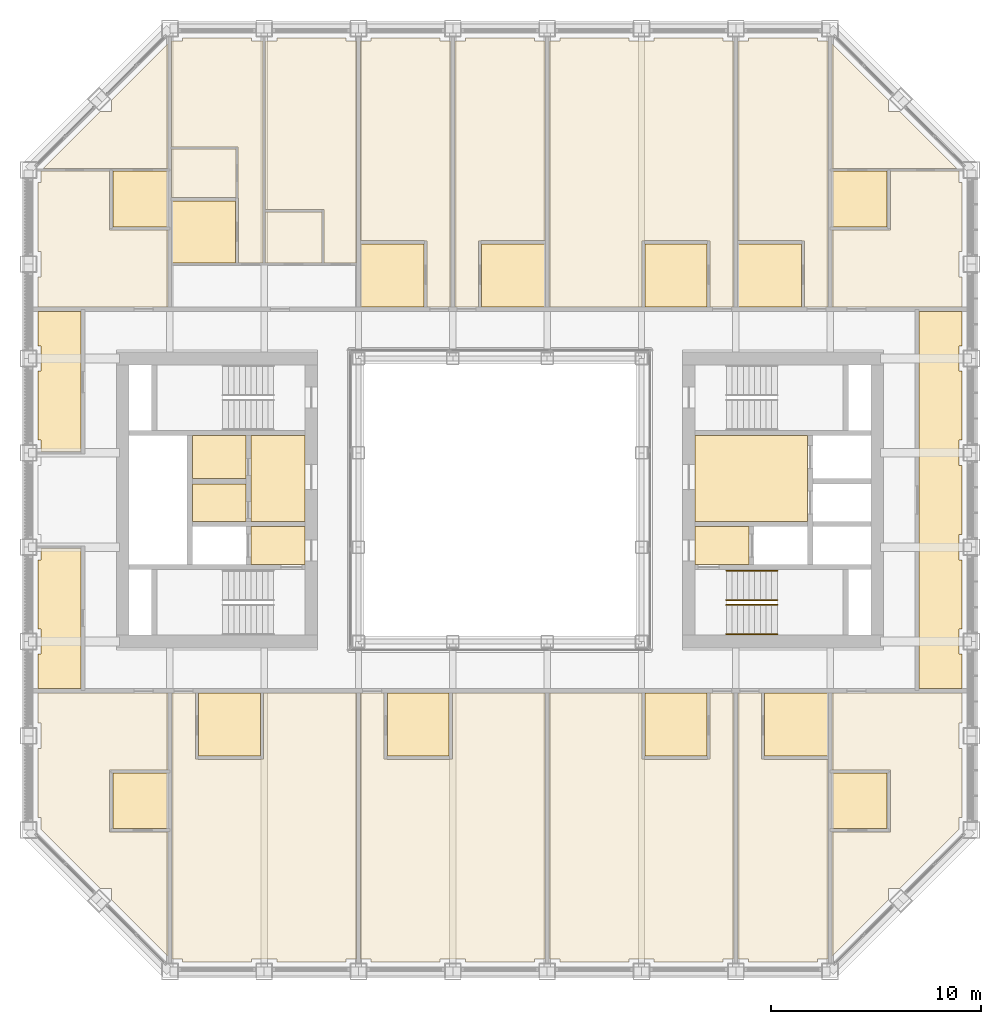
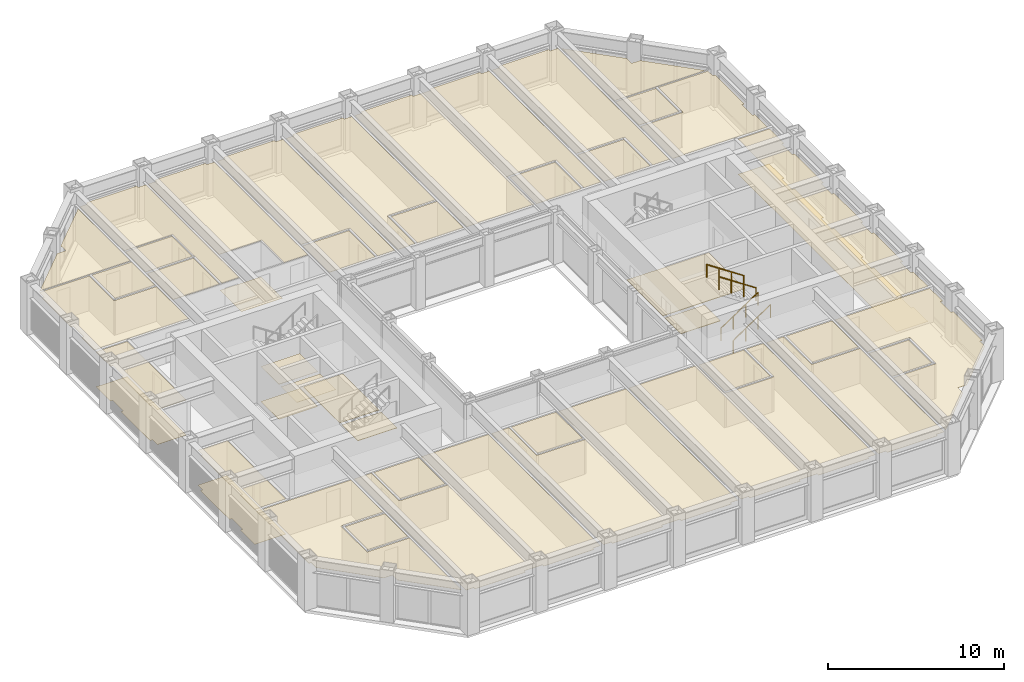
# One storey, part 16 of 17: 5 coverings, 4 railings.
"""IFC4 building model written with IfcOpenShell, lengths in metres."""

from ifc_helpers import new_model, si_unit, direction, frame, origin, origin_2d, place, context, subcontext, project, spatial, line, indexed_curve, circle, outline, extrude, material, layer, layer_set, type_object, element, save


model = new_model("IFC4")

# Units and contexts
model_context = context("Model", 3, precision=1e-05, world=origin(), true_north=direction((0.0, 1.0)))
body_context = subcontext(model_context, "Body", "Model", "MODEL_VIEW")
ifc_project = project(units=[si_unit("LENGTHUNIT", "METRE"), si_unit("AREAUNIT", "SQUARE_METRE"), si_unit("VOLUMEUNIT", "CUBIC_METRE"), si_unit("PLANEANGLEUNIT", "RADIAN"), si_unit("MASSUNIT", "GRAM", prefix="KILO")], contexts=[model_context])

# Site, building, storey
site_placement = place(None, origin())
site = spatial("IfcSite", under=ifc_project, at=site_placement, CompositionType="ELEMENT")
building_placement = place(site_placement, origin())
building = spatial("IfcBuilding", under=site, at=building_placement, Name="Msasa Ring Tower", CompositionType="ELEMENT")
storey_placement = place(building_placement, frame((0.0, 0.0, 176.0)))
storey = spatial("IfcBuildingStorey", under=building, at=storey_placement, Name="L46", CompositionType="ELEMENT", Elevation=176.0)

# Coverings
ifc_material_1 = material(Name="Gypsum plasterboard on a steel suspension grid", Category="steel")
ifc_layer_1 = layer(ifc_material_1, 0.014892578125)
ifc_layer_set_1 = layer_set([ifc_layer_1], Name="C1 SUSPENDED PLASTERBOARD CEILING 15")
covering_type_1 = type_object("IfcCoveringType", Name="C1 SUSPENDED PLASTERBOARD CEILING 15", PredefinedType="CEILING", material=ifc_layer_set_1)
covering_1_placement = place(storey_placement, frame((0.0, 0.0, 2.407958984375)))
element("IfcCovering", 1, at=covering_1_placement, inside=storey, type_object=covering_type_1, Name="Suspended Plasterboard Ceiling 15 L46", PredefinedType="CEILING", context=body_context, shape_type="SweptSolid", body=[
    extrude(outline(indexed_curve([(-15.8505859375, -21.762451171875), (-18.5244140625, -19.08837890625), (-18.5244140625, -18.5244140625), (-19.08837890625, -18.5244140625), (-21.8994140625, -15.71337890625), (-21.8994140625, -15.1494140625), (-22.049560546875, -15.1494140625), (-22.049560546875, -11.8505859375), (-21.8994140625, -11.8505859375), (-21.8994140625, -10.6494140625), (-22.049560546875, -10.6494140625), (-22.049560546875, -9.200439453125), (-15.8505859375, -9.200439453125), (-15.8505859375, -12.869384765625), (-18.630615234375, -12.869384765625), (-18.630615234375, -15.83056640625), (-15.8505859375, -15.83056640625)], segments=[line(1, 2, 3, 4, 5, 6, 7, 8, 9, 10, 11, 12, 13, 14, 15, 16, 17, 1)], self_intersect=False)), origin(), (0.0, 0.0, 1.0), 0.01513671875),
    extrude(outline(indexed_curve([(-15.8505859375, 12.869384765625), (-15.8505859375, 9.200439453125), (-22.049560546875, 9.200439453125), (-22.049560546875, 10.6494140625), (-21.8994140625, 10.6494140625), (-21.8994140625, 11.8505859375), (-22.049560546875, 11.8505859375), (-22.049560546875, 15.1494140625), (-21.8994140625, 15.1494140625), (-21.8994140625, 15.694580078125), (-18.630615234375, 15.694580078125), (-18.630615234375, 12.869384765625)], segments=[line(1, 2, 3, 4, 5, 6, 7, 8, 9, 10, 11, 12, 1)], self_intersect=False)), origin(), (0.0, 0.0, 1.0), 0.01513671875),
    extrude(outline(indexed_curve([(-19.08837890625, 18.5244140625), (-18.5244140625, 18.5244140625), (-18.5244140625, 19.08837890625), (-15.8505859375, 21.762451171875), (-15.8505859375, 15.805419921875), (-21.807373046875, 15.805419921875)], segments=[line(1, 2, 3, 4, 5, 6, 1)], self_intersect=False)), origin(), (0.0, 0.0, 1.0), 0.01513671875),
    extrude(outline(indexed_curve([(-11.8505859375, 22.049560546875), (-11.8505859375, 21.8994140625), (-11.310546875, 21.8994140625), (-11.310546875, 11.300537109375), (-12.474609375, 11.300537109375), (-12.474609375, 14.39990234375), (-12.49951171875, 14.39990234375), (-12.49951171875, 16.8505859375), (-15.662109375, 16.8505859375), (-15.662109375, 21.8994140625), (-15.1494140625, 21.8994140625), (-15.1494140625, 22.049560546875)], segments=[line(1, 2, 3, 4, 5, 6, 7, 8, 9, 10, 11, 12, 1)], self_intersect=False)), origin(), (0.0, 0.0, 1.0), 0.01513671875),
    extrude(outline(indexed_curve([(-12.6005859375, 16.744384765625), (-12.6005859375, 14.430419921875), (-15.662109375, 14.430419921875), (-15.662109375, 16.744384765625)], segments=[line(1, 2, 3, 4, 1)], self_intersect=False)), origin(), (0.0, 0.0, 1.0), 0.01513671875),
    extrude(outline(indexed_curve([(-14.525390625, -12.35009765625), (-14.39990234375, -12.3505859375), (-14.39990234375, -12.37548828125), (-11.39990234375, -12.37548828125), (-11.39990234375, -12.3505859375), (-11.2744140625, -12.35009765625), (-11.2744140625, -9.200439453125), (-6.8505859375, -9.200439453125), (-6.8505859375, -21.8994140625), (-7.3505859375, -21.8994140625), (-7.3505859375, -22.049560546875), (-10.6494140625, -22.049560546875), (-10.6494140625, -21.8994140625), (-11.8505859375, -21.8994140625), (-11.8505859375, -22.049560546875), (-15.1494140625, -22.049560546875), (-15.1494140625, -21.8994140625), (-15.6494140625, -21.8994140625), (-15.6494140625, -9.200439453125), (-14.525390625, -9.200439453125)], segments=[line(1, 2, 3, 4, 5, 6, 7, 8, 9, 10, 11, 12, 13, 14, 15, 16, 17, 18, 19, 20, 1)], self_intersect=False)), origin(), (0.0, 0.0, 1.0), 0.01513671875),
    extrude(outline(indexed_curve([(-7.3505859375, 22.049560546875), (-7.3505859375, 21.8994140625), (-6.837890625, 21.8994140625), (-6.837890625, 11.300537109375), (-8.3994140625, 11.300537109375), (-8.3994140625, 13.8505859375), (-11.189453125, 13.8505859375), (-11.189453125, 21.8994140625), (-10.6494140625, 21.8994140625), (-10.6494140625, 22.049560546875)], segments=[line(1, 2, 3, 4, 5, 6, 7, 8, 9, 10, 1)], self_intersect=False)), origin(), (0.0, 0.0, 1.0), 0.01513671875),
    extrude(outline(indexed_curve([(-5.39990234375, -12.3505859375), (-5.39990234375, -12.37548828125), (-2.39990234375, -12.37548828125), (-2.39990234375, -12.3505859375), (-2.2744140625, -12.35009765625), (-2.2744140625, -9.200439453125), (2.1494140625, -9.200439453125), (2.1494140625, -21.8994140625), (1.6494140625, -21.8994140625), (1.6494140625, -22.049560546875), (-1.6494140625, -22.049560546875), (-1.6494140625, -21.8994140625), (-2.8505859375, -21.8994140625), (-2.8505859375, -22.049560546875), (-6.1494140625, -22.049560546875), (-6.1494140625, -21.8994140625), (-6.6494140625, -21.8994140625), (-6.6494140625, -9.200439453125), (-5.525390625, -9.200439453125), (-5.525390625, -12.35009765625)], segments=[line(1, 2, 3, 4, 5, 6, 7, 8, 9, 10, 11, 12, 13, 14, 15, 16, 17, 18, 19, 20, 1)], self_intersect=False)), origin(), (0.0, 0.0, 1.0), 0.01513671875),
    extrude(outline(indexed_curve([(-2.8505859375, 22.049560546875), (-2.8505859375, 21.8994140625), (-2.3505859375, 21.8994140625), (-2.3505859375, 9.200439453125), (-3.474609375, 9.200439453125), (-3.474609375, 12.35009765625), (-3.60009765625, 12.3505859375), (-3.60009765625, 12.37548828125), (-6.6494140625, 12.37548828125), (-6.6494140625, 21.8994140625), (-6.1494140625, 21.8994140625), (-6.1494140625, 22.049560546875)], segments=[line(1, 2, 3, 4, 5, 6, 7, 8, 9, 10, 11, 12, 1)], self_intersect=False)), origin(), (0.0, 0.0, 1.0), 0.01513671875),
    extrude(outline(indexed_curve([(-2.1494140625, 9.200439453125), (-2.1494140625, 21.8994140625), (-1.6494140625, 21.8994140625), (-1.6494140625, 22.049560546875), (1.6494140625, 22.049560546875), (1.6494140625, 21.8994140625), (2.1494140625, 21.8994140625), (2.1494140625, 12.37548828125), (-0.89990234375, 12.37548828125), (-0.89990234375, 12.3505859375), (-1.025390625, 12.35009765625), (-1.025390625, 9.200439453125)], segments=[line(1, 2, 3, 4, 5, 6, 7, 8, 9, 10, 11, 12, 1)], self_intersect=False)), origin(), (0.0, 0.0, 1.0), 0.01513671875),
    extrude(outline(indexed_curve([(6.89990234375, -12.3505859375), (6.89990234375, -12.37548828125), (9.89990234375, -12.37548828125), (9.89990234375, -12.3505859375), (10.025390625, -12.35009765625), (10.025390625, -9.200439453125), (11.1494140625, -9.200439453125), (11.1494140625, -21.8994140625), (10.6494140625, -21.8994140625), (10.6494140625, -22.049560546875), (7.3505859375, -22.049560546875), (7.3505859375, -21.8994140625), (6.1494140625, -21.8994140625), (6.1494140625, -22.049560546875), (2.8505859375, -22.049560546875), (2.8505859375, -21.8994140625), (2.3505859375, -21.8994140625), (2.3505859375, -9.200439453125), (6.7744140625, -9.200439453125), (6.7744140625, -12.35009765625)], segments=[line(1, 2, 3, 4, 5, 6, 7, 8, 9, 10, 11, 12, 13, 14, 15, 16, 17, 18, 19, 20, 1)], self_intersect=False)), origin(), (0.0, 0.0, 1.0), 0.01513671875),
    extrude(outline(indexed_curve([(9.89990234375, 12.3505859375), (9.89990234375, 12.37548828125), (6.89990234375, 12.37548828125), (6.89990234375, 12.3505859375), (6.7744140625, 12.35009765625), (6.7744140625, 9.200439453125), (2.3505859375, 9.200439453125), (2.3505859375, 21.8994140625), (2.8505859375, 21.8994140625), (2.8505859375, 22.049560546875), (6.1494140625, 22.049560546875), (6.1494140625, 21.8994140625), (7.3505859375, 21.8994140625), (7.3505859375, 22.049560546875), (10.6494140625, 22.049560546875), (10.6494140625, 21.8994140625), (11.1494140625, 21.8994140625), (11.1494140625, 9.200439453125), (10.025390625, 9.200439453125), (10.025390625, 12.35009765625)], segments=[line(1, 2, 3, 4, 5, 6, 7, 8, 9, 10, 11, 12, 13, 14, 15, 16, 17, 18, 19, 20, 1)], self_intersect=False)), origin(), (0.0, 0.0, 1.0), 0.01513671875),
    extrude(outline(indexed_curve([(11.8505859375, -22.049560546875), (11.8505859375, -21.8994140625), (11.3505859375, -21.8994140625), (11.3505859375, -9.200439453125), (12.474609375, -9.200439453125), (12.474609375, -12.35009765625), (12.60009765625, -12.3505859375), (12.60009765625, -12.37548828125), (15.6494140625, -12.37548828125), (15.6494140625, -21.8994140625), (15.1494140625, -21.8994140625), (15.1494140625, -22.049560546875)], segments=[line(1, 2, 3, 4, 5, 6, 7, 8, 9, 10, 11, 12, 1)], self_intersect=False)), origin(), (0.0, 0.0, 1.0), 0.01513671875),
    extrude(outline(indexed_curve([(15.6494140625, 9.200439453125), (14.525390625, 9.200439453125), (14.525390625, 12.35009765625), (14.39990234375, 12.3505859375), (14.39990234375, 12.37548828125), (11.3505859375, 12.37548828125), (11.3505859375, 21.8994140625), (11.8505859375, 21.8994140625), (11.8505859375, 22.049560546875), (15.1494140625, 22.049560546875), (15.1494140625, 21.8994140625), (15.6494140625, 21.8994140625)], segments=[line(1, 2, 3, 4, 5, 6, 7, 8, 9, 10, 11, 12, 1)], self_intersect=False)), origin(), (0.0, 0.0, 1.0), 0.01513671875),
    extrude(outline(indexed_curve([(18.630615234375, -12.869384765625), (15.8505859375, -12.869384765625), (15.8505859375, -9.200439453125), (22.049560546875, -9.200439453125), (22.049560546875, -10.6494140625), (21.8994140625, -10.6494140625), (21.8994140625, -11.8505859375), (22.049560546875, -11.8505859375), (22.049560546875, -15.1494140625), (21.8994140625, -15.1494140625), (21.8994140625, -15.71337890625), (19.08837890625, -18.5244140625), (18.5244140625, -18.5244140625), (18.5244140625, -19.08837890625), (15.8505859375, -21.762451171875), (15.8505859375, -15.83056640625), (18.630615234375, -15.83056640625)], segments=[line(1, 2, 3, 4, 5, 6, 7, 8, 9, 10, 11, 12, 13, 14, 15, 16, 17, 1)], self_intersect=False)), origin(), (0.0, 0.0, 1.0), 0.01513671875),
    extrude(outline(indexed_curve([(22.049560546875, 11.8505859375), (21.8994140625, 11.8505859375), (21.8994140625, 10.6494140625), (22.049560546875, 10.6494140625), (22.049560546875, 9.200439453125), (15.8505859375, 9.200439453125), (15.8505859375, 12.869384765625), (18.630615234375, 12.869384765625), (18.630615234375, 15.694580078125), (21.8994140625, 15.694580078125), (21.8994140625, 15.1494140625), (22.049560546875, 15.1494140625)], segments=[line(1, 2, 3, 4, 5, 6, 7, 8, 9, 10, 11, 12, 1)], self_intersect=False)), origin(), (0.0, 0.0, 1.0), 0.01513671875),
    extrude(outline(indexed_curve([(15.8505859375, 15.805419921875), (15.8505859375, 21.762451171875), (18.5244140625, 19.08837890625), (18.5244140625, 18.5244140625), (19.08837890625, 18.5244140625), (21.807373046875, 15.805419921875)], segments=[line(1, 2, 3, 4, 5, 6, 1)], self_intersect=False)), origin(), (0.0, 0.0, 1.0), 0.01513671875),
])
ifc_material_2 = material(Name="Moisture-resistant gypsum plasterboard on a steel suspension grid", Category="steel")
ifc_layer_2 = layer(ifc_material_2, 0.014892578125)
ifc_layer_set_2 = layer_set([ifc_layer_2], Name="C2 MOISTURE-RESISTANT PLASTERBOARD CEILING 15")
covering_type_2 = type_object("IfcCoveringType", Name="C2 MOISTURE-RESISTANT PLASTERBOARD CEILING 15", PredefinedType="CEILING", material=ifc_layer_set_2)
covering_2_placement = place(storey_placement, frame((0.0, 0.0, 2.39990234375)))
element("IfcCovering", 2, at=covering_2_placement, inside=storey, type_object=covering_type_2, Name="Moisture-Resistant Plasterboard Ceiling 15 L46", PredefinedType="CEILING", context=body_context, shape_type="SweptSolid", body=[
    extrude(outline(indexed_curve([(-18.469482421875, -15.66943359375), (-18.469482421875, -13.030517578125), (-15.8505859375, -13.030517578125), (-15.8505859375, -15.66943359375)], segments=[line(1, 2, 3, 4, 1)], self_intersect=False)), origin(), (0.0, 0.0, 1.0), 0.01513671875),
    extrude(outline(indexed_curve([(-18.469482421875, 15.694580078125), (-15.8505859375, 15.694580078125), (-15.8505859375, 13.030517578125), (-18.469482421875, 13.030517578125)], segments=[line(1, 2, 3, 4, 1)], self_intersect=False)), origin(), (0.0, 0.0, 1.0), 0.01513671875),
    extrude(outline(indexed_curve([(-15.662109375, 11.300537109375), (-15.662109375, 14.2744140625), (-12.62548828125, 14.2744140625), (-12.62548828125, 11.300537109375)], segments=[line(1, 2, 3, 4, 1)], self_intersect=False)), origin(), (0.0, 0.0, 1.0), 0.01513671875),
    extrude(outline(indexed_curve([(-14.674560546875, 0.7744140625), (-12.12548828125, 0.7744140625), (-12.12548828125, -1.0244140625), (-14.674560546875, -1.0244140625)], segments=[line(1, 2, 3, 4, 1)], self_intersect=False)), origin(), (0.0, 0.0, 1.0), 0.01513671875),
    extrude(outline(indexed_curve([(-11.425537109375, -9.200439453125), (-11.425537109375, -12.224609375), (-14.37451171875, -12.224609375), (-14.37451171875, -9.200439453125)], segments=[line(1, 2, 3, 4, 1)], self_intersect=False)), origin(), (0.0, 0.0, 1.0), 0.01513671875),
    extrude(outline(indexed_curve([(-6.6494140625, 12.224609375), (-3.62548828125, 12.224609375), (-3.62548828125, 9.200439453125), (-6.6494140625, 9.200439453125)], segments=[line(1, 2, 3, 4, 1)], self_intersect=False)), origin(), (0.0, 0.0, 1.0), 0.01513671875),
    extrude(outline(indexed_curve([(-2.425537109375, -9.200439453125), (-2.425537109375, -12.224609375), (-5.37451171875, -12.224609375), (-5.37451171875, -9.200439453125)], segments=[line(1, 2, 3, 4, 1)], self_intersect=False)), origin(), (0.0, 0.0, 1.0), 0.01513671875),
    extrude(outline(indexed_curve([(2.1494140625, 9.200439453125), (-0.87451171875, 9.200439453125), (-0.87451171875, 12.224609375), (2.1494140625, 12.224609375)], segments=[line(1, 2, 3, 4, 1)], self_intersect=False)), origin(), (0.0, 0.0, 1.0), 0.01513671875),
    extrude(outline(indexed_curve([(9.87451171875, -9.200439453125), (9.87451171875, -12.224609375), (6.925537109375, -12.224609375), (6.925537109375, -9.200439453125)], segments=[line(1, 2, 3, 4, 1)], self_intersect=False)), origin(), (0.0, 0.0, 1.0), 0.01513671875),
    extrude(outline(indexed_curve([(6.925537109375, 9.200439453125), (6.925537109375, 12.224609375), (9.87451171875, 12.224609375), (9.87451171875, 9.200439453125)], segments=[line(1, 2, 3, 4, 1)], self_intersect=False)), origin(), (0.0, 0.0, 1.0), 0.01513671875),
    extrude(outline(indexed_curve([(11.3505859375, 12.224609375), (14.37451171875, 12.224609375), (14.37451171875, 9.200439453125), (11.3505859375, 9.200439453125)], segments=[line(1, 2, 3, 4, 1)], self_intersect=False)), origin(), (0.0, 0.0, 1.0), 0.01513671875),
    extrude(outline(indexed_curve([(15.6494140625, -9.200439453125), (15.6494140625, -12.224609375), (12.62548828125, -12.224609375), (12.62548828125, -9.200439453125)], segments=[line(1, 2, 3, 4, 1)], self_intersect=False)), origin(), (0.0, 0.0, 1.0), 0.01513671875),
    extrude(outline(indexed_curve([(15.8505859375, -15.66943359375), (15.8505859375, -13.030517578125), (18.469482421875, -13.030517578125), (18.469482421875, -15.66943359375)], segments=[line(1, 2, 3, 4, 1)], self_intersect=False)), origin(), (0.0, 0.0, 1.0), 0.01513671875),
    extrude(outline(indexed_curve([(15.8505859375, 15.694580078125), (18.469482421875, 15.694580078125), (18.469482421875, 13.030517578125), (15.8505859375, 13.030517578125)], segments=[line(1, 2, 3, 4, 1)], self_intersect=False)), origin(), (0.0, 0.0, 1.0), 0.01513671875),
])
ifc_material_3 = material(Name="Mineral fibre ceiling tiles on an exposed steel grid", Category="steel")
ifc_layer_3 = layer(ifc_material_3, 0.02001953125)
ifc_layer_set_3 = layer_set([ifc_layer_3], Name="C3 ACOUSTIC MINERAL FIBRE TILE CEILING 20")
covering_type_3 = type_object("IfcCoveringType", Name="C3 ACOUSTIC MINERAL FIBRE TILE CEILING 20", PredefinedType="CEILING", material=ifc_layer_set_3)
covering_3_placement = place(storey_placement, frame((0.0, 0.0, 2.408935546875)))
element("IfcCovering", 3, at=covering_3_placement, inside=storey, type_object=covering_type_3, Name="Acoustic Mineral Fibre Tile Ceiling 20 L46", PredefinedType="CEILING", context=body_context, shape_type="SweptSolid", body=[
    extrude(outline(indexed_curve([(-22.049560546875, -7.3505859375), (-21.8994140625, -7.3505859375), (-21.8994140625, -6.1494140625), (-22.049560546875, -6.1494140625), (-22.049560546875, -2.8505859375), (-21.8994140625, -2.8505859375), (-21.8994140625, -2.305419921875), (-20.00048828125, -2.305419921875), (-20.00048828125, -8.99951171875), (-22.049560546875, -8.99951171875)], segments=[line(1, 2, 3, 4, 5, 6, 7, 8, 9, 10, 1)], self_intersect=False)), origin(), (0.0, 0.0, 1.0), 0.02001953125),
    extrude(outline(indexed_curve([(-22.049560546875, 6.1494140625), (-21.8994140625, 6.1494140625), (-21.8994140625, 7.3505859375), (-22.049560546875, 7.3505859375), (-22.049560546875, 8.99951171875), (-20.00048828125, 8.99951171875), (-20.00048828125, 2.305419921875), (-21.8994140625, 2.305419921875), (-21.8994140625, 2.8505859375), (-22.049560546875, 2.8505859375)], segments=[line(1, 2, 3, 4, 5, 6, 7, 8, 9, 10, 1)], self_intersect=False)), origin(), (0.0, 0.0, 1.0), 0.02001953125),
    extrude(outline(indexed_curve([(-12.12548828125, 1.025390625), (-14.674560546875, 1.025390625), (-14.674560546875, 3.074462890625), (-12.12548828125, 3.074462890625)], segments=[line(1, 2, 3, 4, 1)], self_intersect=False)), origin(), (0.0, 0.0, 1.0), 0.02001953125),
    extrude(outline(indexed_curve([(22.049560546875, 8.99951171875), (22.049560546875, 7.3505859375), (21.8994140625, 7.3505859375), (21.8994140625, 6.1494140625), (22.049560546875, 6.1494140625), (22.049560546875, 2.8505859375), (21.8994140625, 2.8505859375), (21.8994140625, 1.6494140625), (22.049560546875, 1.6494140625), (22.049560546875, -1.6494140625), (21.8994140625, -1.6494140625), (21.8994140625, -2.8505859375), (22.049560546875, -2.8505859375), (22.049560546875, -6.1494140625), (21.8994140625, -6.1494140625), (21.8994140625, -7.3505859375), (22.049560546875, -7.3505859375), (22.049560546875, -8.99951171875), (20.00048828125, -8.99951171875), (20.00048828125, 8.99951171875)], segments=[line(1, 2, 3, 4, 5, 6, 7, 8, 9, 10, 11, 12, 13, 14, 15, 16, 17, 18, 19, 20, 1)], self_intersect=False)), origin(), (0.0, 0.0, 1.0), 0.02001953125),
])
ifc_material_4 = material(Name="Honed granite tiles on a mortar bed", Category="masonry")
ifc_layer_4 = layer(ifc_material_4, 0.030029296875)
ifc_layer_set_4 = layer_set([ifc_layer_4], Name="F1 HONED GRANITE ON BEDDING 30")
covering_type_4 = type_object("IfcCoveringType", Name="F1 HONED GRANITE ON BEDDING 30", PredefinedType="FLOORING", material=ifc_layer_set_4)
covering_4_placement = place(storey_placement, origin())
element("IfcCovering", 4, at=covering_4_placement, inside=storey, type_object=covering_type_4, Name="Honed Granite On Bedding 30 L46", PredefinedType="FLOORING", context=body_context, shape_type="SweptSolid", body=[
    extrude(outline(indexed_curve([(-11.87451171875, -3.074462890625), (-11.87451171875, -1.275390625), (-9.300537109375, -1.275390625), (-9.300537109375, -3.074462890625)], segments=[line(1, 2, 3, 4, 1)], self_intersect=False)), origin(), (0.0, 0.0, 1.0), 0.030029296875),
    extrude(outline(indexed_curve([(-11.87451171875, -1.0244140625), (-11.87451171875, 3.074462890625), (-9.300537109375, 3.074462890625), (-9.300537109375, -1.0244140625)], segments=[line(1, 2, 3, 4, 1)], self_intersect=False)), origin(), (0.0, 0.0, 1.0), 0.030029296875),
    extrude(outline(indexed_curve([(9.300537109375, -3.074462890625), (9.300537109375, -1.275390625), (11.87451171875, -1.275390625), (11.87451171875, -3.074462890625)], segments=[line(1, 2, 3, 4, 1)], self_intersect=False)), origin(), (0.0, 0.0, 1.0), 0.030029296875),
    extrude(outline(indexed_curve([(9.300537109375, -1.0244140625), (9.300537109375, 3.074462890625), (14.674560546875, 3.074462890625), (14.674560546875, -1.0244140625)], segments=[line(1, 2, 3, 4, 1)], self_intersect=False)), origin(), (0.0, 0.0, 1.0), 0.030029296875),
])
ifc_material_5 = material(Name="Welded vinyl safety sheet flooring", Category="vinyl")
ifc_layer_5 = layer(ifc_material_5, 0.0029296875)
ifc_layer_set_5 = layer_set([ifc_layer_5], Name="F5 RESILIENT SHEET FLOORING 3")
covering_type_5 = type_object("IfcCoveringType", Name="F5 RESILIENT SHEET FLOORING 3", PredefinedType="FLOORING", material=ifc_layer_set_5)
covering_5_placement = place(storey_placement, origin())
element("IfcCovering", 5, at=covering_5_placement, inside=storey, type_object=covering_type_5, Name="Resilient Sheet Flooring 3 L46", PredefinedType="FLOORING", context=body_context, shape_type="SweptSolid", body=[
    extrude(outline(indexed_curve([(-20.00048828125, -2.305419921875), (-20.00048828125, -8.99951171875), (-22.049560546875, -8.99951171875), (-22.049560546875, -7.3505859375), (-21.8994140625, -7.3505859375), (-21.8994140625, -6.1494140625), (-22.049560546875, -6.1494140625), (-22.049560546875, -2.8505859375), (-21.8994140625, -2.8505859375), (-21.8994140625, -2.305419921875)], segments=[line(1, 2, 3, 4, 5, 6, 7, 8, 9, 10, 1)], self_intersect=False)), origin(), (0.0, 0.0, 1.0), 0.0029296875),
    extrude(outline(indexed_curve([(-20.00048828125, 2.305419921875), (-21.8994140625, 2.305419921875), (-21.8994140625, 2.8505859375), (-22.049560546875, 2.8505859375), (-22.049560546875, 6.1494140625), (-21.8994140625, 6.1494140625), (-21.8994140625, 7.3505859375), (-22.049560546875, 7.3505859375), (-22.049560546875, 8.99951171875), (-20.00048828125, 8.99951171875)], segments=[line(1, 2, 3, 4, 5, 6, 7, 8, 9, 10, 1)], self_intersect=False)), origin(), (0.0, 0.0, 1.0), 0.0029296875),
    extrude(outline(indexed_curve([(-14.674560546875, 3.074462890625), (-12.12548828125, 3.074462890625), (-12.12548828125, 1.025390625), (-14.674560546875, 1.025390625)], segments=[line(1, 2, 3, 4, 1)], self_intersect=False)), origin(), (0.0, 0.0, 1.0), 0.0029296875),
    extrude(outline(indexed_curve([(-11.189453125, 13.74951171875), (-8.50048828125, 13.74951171875), (-8.50048828125, 11.300537109375), (-11.189453125, 11.300537109375)], segments=[line(1, 2, 3, 4, 1)], self_intersect=False)), origin(), (0.0, 0.0, 1.0), 0.0029296875),
    extrude(outline(indexed_curve([(22.049560546875, 7.3505859375), (21.8994140625, 7.3505859375), (21.8994140625, 6.1494140625), (22.049560546875, 6.1494140625), (22.049560546875, 2.8505859375), (21.8994140625, 2.8505859375), (21.8994140625, 1.6494140625), (22.049560546875, 1.6494140625), (22.049560546875, -1.6494140625), (21.8994140625, -1.6494140625), (21.8994140625, -2.8505859375), (22.049560546875, -2.8505859375), (22.049560546875, -6.1494140625), (21.8994140625, -6.1494140625), (21.8994140625, -7.3505859375), (22.049560546875, -7.3505859375), (22.049560546875, -8.99951171875), (20.00048828125, -8.99951171875), (20.00048828125, 8.99951171875), (22.049560546875, 8.99951171875)], segments=[line(1, 2, 3, 4, 5, 6, 7, 8, 9, 10, 11, 12, 13, 14, 15, 16, 17, 18, 19, 20, 1)], self_intersect=False)), origin(), (0.0, 0.0, 1.0), 0.0029296875),
])

# Railings
ifc_material_6 = material(Name="Stainless steel", Category="steel")
railing_type = type_object("IfcRailingType", Name="HR1 HANDRAIL 900", PredefinedType="HANDRAIL", material=ifc_material_6)
for number, where, name in (
    (6, (10.800048828125, -6.39990234375, 0.179931640625), "Handrail stair SEA L46 1"),
    (7, (10.800048828125, -5.0, 0.179931640625), "Handrail stair SEA L46 2"),
):
    element("IfcRailing", number, at=place(storey_placement, frame(where)), inside=storey, type_object=railing_type, Name=name, PredefinedType="HANDRAIL", context=body_context, shape_type="SweptSolid", body=[
        extrude(circle(Radius=0.02392578125, at=origin_2d()), frame((0.0, 0.0, 0.8759765625), z_axis=(0.832024571796, 0.0, 0.554738778101), x_axis=(0.0, 1.0, 0.0)), (0.0, 0.0, 1.0), 2.92041015625),
        extrude(circle(Radius=0.02099609375, at=origin_2d()), origin(), (0.0, 0.0, 1.0), 0.851806640625),
        extrude(circle(Radius=0.02099609375, at=origin_2d()), frame((0.81005859375, 0.0, 0.5400390625)), (0.0, 0.0, 1.0), 0.851806640625),
        extrude(circle(Radius=0.02099609375, at=origin_2d()), frame((1.619873046875, 0.0, 1.080078125)), (0.0, 0.0, 1.0), 0.851806640625),
        extrude(circle(Radius=0.02099609375, at=origin_2d()), frame((2.429931640625, 0.0, 1.6201171875)), (0.0, 0.0, 1.0), 0.851806640625),
    ])
for number, where, name in (
    (8, (13.22998046875, -4.77490234375, 1.97998046875), "Handrail stair SEA L46 3"),
    (9, (13.22998046875, -3.375, 1.97998046875), "Handrail stair SEA L46 4"),
):
    element("IfcRailing", number, at=place(storey_placement, frame(where)), inside=storey, type_object=railing_type, Name=name, PredefinedType="HANDRAIL", context=body_context, shape_type="SweptSolid", body=[
        extrude(circle(Radius=0.02392578125, at=origin_2d()), frame((0.0, 0.0, 0.8759765625), z_axis=(-0.832024571796, 0.0, 0.554738778101), x_axis=(0.0, -1.0, 0.0)), (0.0, 0.0, 1.0), 2.92041015625),
        extrude(circle(Radius=0.02099609375, at=origin_2d()), origin(), (0.0, 0.0, 1.0), 0.851806640625),
        extrude(circle(Radius=0.02099609375, at=origin_2d()), frame((-0.81005859375, 0.0, 0.5400390625)), (0.0, 0.0, 1.0), 0.851806640625),
        extrude(circle(Radius=0.02099609375, at=origin_2d()), frame((-1.619873046875, 0.0, 1.080078125)), (0.0, 0.0, 1.0), 0.851806640625),
        extrude(circle(Radius=0.02099609375, at=origin_2d()), frame((-2.429931640625, 0.0, 1.6201171875)), (0.0, 0.0, 1.0), 0.851806640625),
    ])

save(model, "model.ifc")
